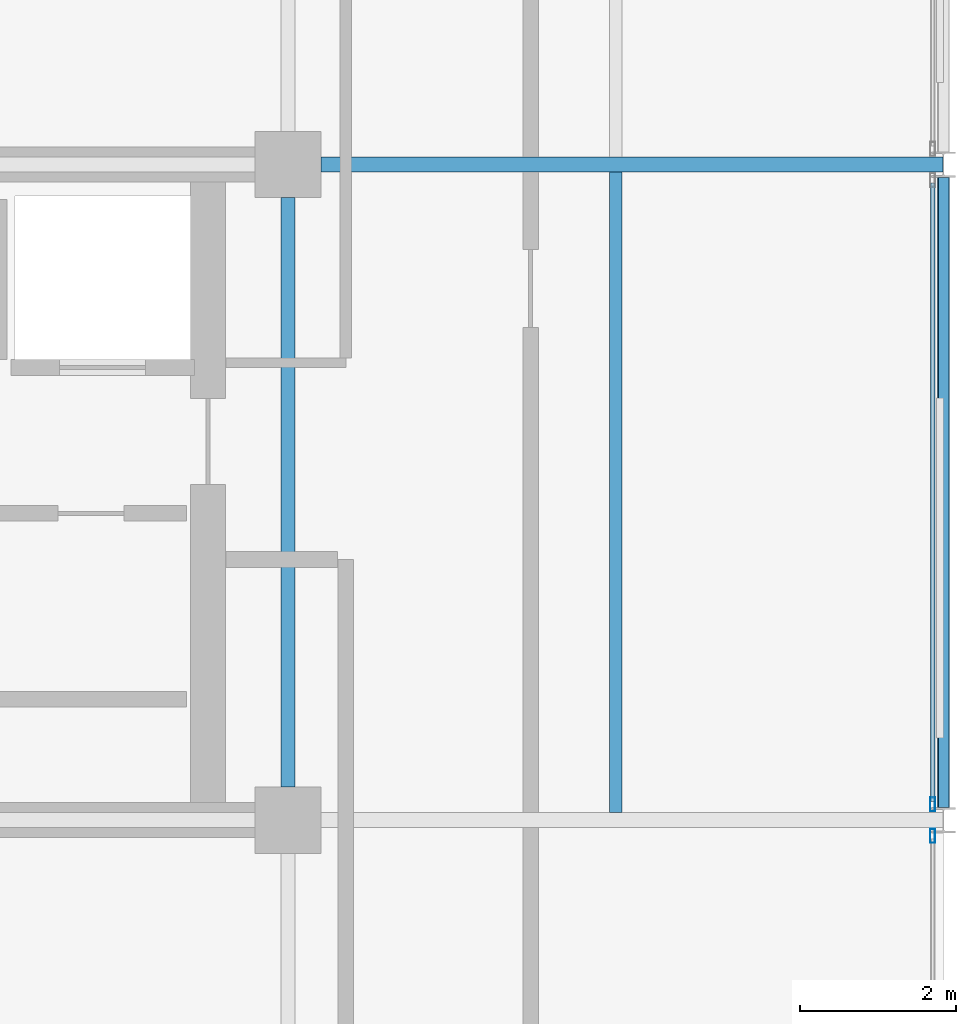
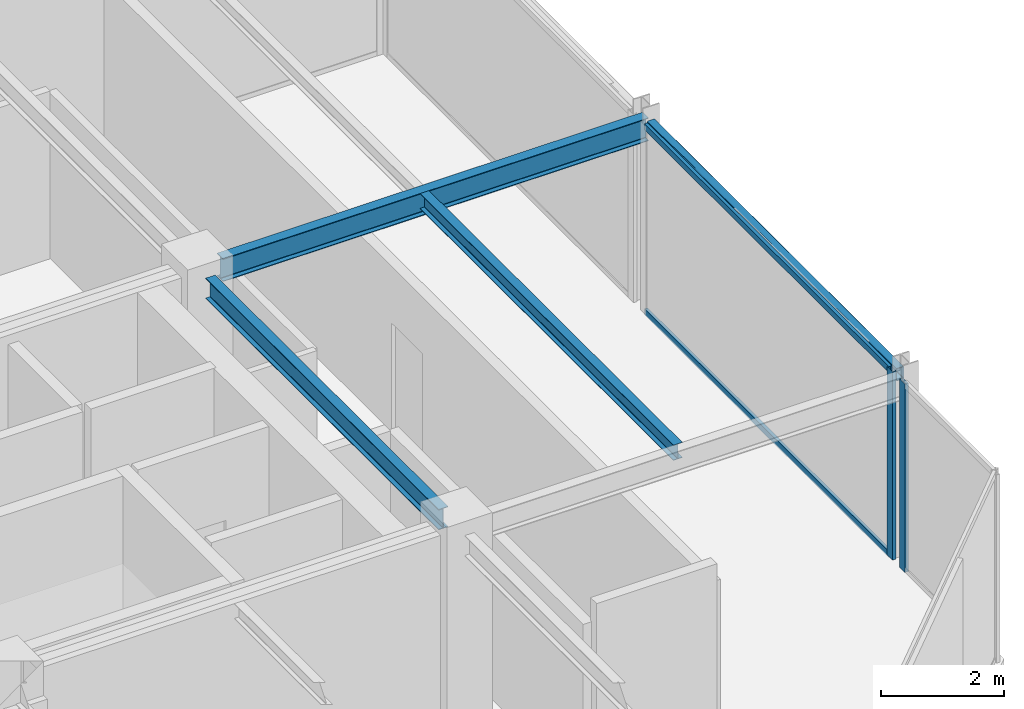
# One storey, part 15 of 26: 4 beams, 4 members, 2 elements without a shape of their own.
"""IFC4 building model written with IfcOpenShell, lengths in metres."""

from ifc_helpers import new_model, si_unit, direction, frame, origin, origin_2d, place, context, subcontext, project, spatial, hollow_rectangle, i_section, extrude, material, layer, layer_set, material_profile, profile_set, type_object, element, aggregate, save


model = new_model("IFC4")

# Units and contexts
model_context = context("Model", 3, precision=1e-05, world=origin(), true_north=direction((0.0, 1.0)))
body_context = subcontext(model_context, "Body", "Model", "MODEL_VIEW")
ifc_project = project(units=[si_unit("LENGTHUNIT", "METRE"), si_unit("AREAUNIT", "SQUARE_METRE"), si_unit("VOLUMEUNIT", "CUBIC_METRE"), si_unit("PLANEANGLEUNIT", "RADIAN"), si_unit("MASSUNIT", "GRAM", prefix="KILO")], contexts=[model_context])

# Site, building, storey
site_placement = place(None, origin())
site = spatial("IfcSite", under=ifc_project, at=site_placement, CompositionType="ELEMENT")
building_placement = place(site_placement, origin())
building = spatial("IfcBuilding", under=site, at=building_placement, Name="Nerrivon Quay Data Exchange", CompositionType="ELEMENT")
storey_placement = place(building_placement, frame((0.0, 0.0, 274.199951171875)))
storey = spatial("IfcBuildingStorey", under=building, at=storey_placement, Name="L65", CompositionType="ELEMENT", Elevation=274.199951171875)

# Beams
ifc_material_1 = material(Name="Steel Grade 350", Category="steel")
ifc_material_profile_1 = material_profile(ifc_material_1, i_section(OverallWidth=0.18994140625, OverallDepth=0.4541015625, WebThickness=0.008544921875, FlangeThickness=0.0126953125, FilletRadius=0.011474609375, at=origin_2d()), Name="460UB67.1")
ifc_profile_set_1 = profile_set([ifc_material_profile_1], Name="Steel Grade 350")
beam_type_1 = type_object("IfcBeamType", Name="BM-G6-460UB67", PredefinedType="BEAM", material=ifc_profile_set_1)
beam_1_placement = place(storey_placement, frame((34.02490234375, 16.800048828125, 3.498046875), z_axis=(1.0, 0.0, 0.0), x_axis=(0.0, 1.0, 0.0)))
element("IfcBeam", 1, at=beam_1_placement, inside=storey, type_object=beam_type_1, Name="L65 EW Girder Y=16.8 (33.6..42.0)", PredefinedType="BEAM", context=body_context, shape_type="SweptSolid", body=[
    extrude(i_section(OverallWidth=0.18994140625, OverallDepth=0.4541015625, WebThickness=0.008544921875, FlangeThickness=0.0126953125, FilletRadius=0.011474609375, at=origin_2d()), origin(), (0.0, 0.0, 1.0), 7.96728515625),
])
ifc_material_profile_2 = material_profile(ifc_material_1, i_section(OverallWidth=0.177978515625, OverallDepth=0.406005859375, WebThickness=0.0078125, FlangeThickness=0.0126953125, FilletRadius=0.011474609375, at=origin_2d()), Name="410UB59.7")
ifc_profile_set_2 = profile_set([ifc_material_profile_2], Name="Steel Grade 350")
beam_type_2 = type_object("IfcBeamType", Name="BM-J1-410UB60", PredefinedType="JOIST", material=ifc_profile_set_2)
beam_2_placement = place(storey_placement, frame((33.60009765625, 8.824951171875, 3.52197265625), z_axis=(0.0, 1.0, 0.0), x_axis=(-1.0, 0.0, 0.0)))
element("IfcBeam", 2, at=beam_2_placement, inside=storey, type_object=beam_type_2, Name="L65 NS Girder X=33.6 (8.4..16.8)", PredefinedType="JOIST", context=body_context, shape_type="SweptSolid", body=[
    extrude(i_section(OverallWidth=0.177978515625, OverallDepth=0.406005859375, WebThickness=0.0078125, FlangeThickness=0.0126953125, FilletRadius=0.011474609375, at=origin_2d()), origin(), (0.0, 0.0, 1.0), 7.550048828125),
])
ifc_material_profile_3 = material_profile(ifc_material_1, i_section(OverallWidth=0.1650390625, OverallDepth=0.303955078125, WebThickness=0.006103515625, FlangeThickness=0.01025390625, FilletRadius=0.011474609375, at=origin_2d()), Name="310UB40.4")
ifc_profile_set_3 = profile_set([ifc_material_profile_3], Name="Steel Grade 350")
beam_type_3 = type_object("IfcBeamType", Name="BM-J6-310UB40", PredefinedType="JOIST", material=ifc_profile_set_3)
beam_3_placement = place(storey_placement, frame((37.800048828125, 8.4951171875, 3.572998046875), z_axis=(0.0, 1.0, 0.0), x_axis=(-1.0, 0.0, 0.0)))
element("IfcBeam", 3, at=beam_3_placement, inside=storey, type_object=beam_type_3, Name="L65 Secondary Joist X=37.8 (8.4..16.8)", PredefinedType="JOIST", context=body_context, shape_type="SweptSolid", body=[
    extrude(i_section(OverallWidth=0.1650390625, OverallDepth=0.303955078125, WebThickness=0.006103515625, FlangeThickness=0.01025390625, FilletRadius=0.011474609375, at=origin_2d()), origin(), (0.0, 0.0, 1.0), 8.2099609375),
])
ifc_material_2 = material(Name="Steel Grade C350L0 (350 MPa)", Category="steel")
ifc_material_profile_4 = material_profile(ifc_material_2, hollow_rectangle(XDim=0.14990234375, YDim=0.25, WallThickness=0.009033203125, InnerFilletRadius=0.013427734375, OuterFilletRadius=0.0224609375, at=origin_2d()), Name="250x150x9.0RHS")
ifc_profile_set_4 = profile_set([ifc_material_profile_4], Name="Steel Grade C350L0 (350 MPa)")
beam_type_4 = type_object("IfcBeamType", Name="BM-SP4-250x150RHS", PredefinedType="SPANDREL", material=ifc_profile_set_4)
beam_4_placement = place(storey_placement, frame((42.0, 8.5634765625, 3.60009765625), z_axis=(0.0, 1.0, 0.0), x_axis=(-1.0, 0.0, 0.0)))
element("IfcBeam", 4, at=beam_4_placement, inside=storey, type_object=beam_type_4, Name="L65 NS Girder X=42.0 (8.4..16.8)", PredefinedType="SPANDREL", context=body_context, shape_type="SweptSolid", body=[
    extrude(hollow_rectangle(XDim=0.14990234375, YDim=0.25, WallThickness=0.009033203125, InnerFilletRadius=0.013427734375, OuterFilletRadius=0.0224609375, at=origin_2d()), origin(), (0.0, 0.0, 1.0), 8.072998046875),
])

# Curtain wall, member
ifc_material_3 = material(Name="Anodised aluminium 6063-T6", Category="aluminium")
ifc_layer = layer(ifc_material_3, 0.195068359375)
ifc_layer_set = layer_set([ifc_layer], Name="Anodised aluminium 6063-T6")
curtain_wall_type = type_object("IfcCurtainWallType", Name="CW-SYS-06", PredefinedType="NOTDEFINED", material=ifc_layer_set)
curtain_wall_1_placement = place(storey_placement, origin())
curtain_wall_1 = element("IfcCurtainWall", 5, at=curtain_wall_1_placement, inside=storey, type_object=curtain_wall_type, Name="L65 Unitised Curtain Wall 27", PredefinedType="NOTDEFINED")
ifc_material_profile_5 = material_profile(ifc_material_3, hollow_rectangle(XDim=0.06494140625, YDim=0.179931640625, WallThickness=0.00341796875, at=origin_2d()), Name="ALU-MULL-180x65")
ifc_profile_set_5 = profile_set([ifc_material_profile_5], Name="Anodised aluminium 6063-T6")
member_type_1 = type_object("IfcMemberType", Name="CWM-180x65", PredefinedType="MULLION", material=ifc_profile_set_5)
member_1_placement = place(storey_placement, frame((41.860107421875, 8.60107421875, 0.0), z_axis=(0.0, 0.0, 1.0), x_axis=(1.0, 0.0, 0.0)))
member_1 = element("IfcMember", 6, at=member_1_placement, type_object=member_type_1, Name="CW06 mullion 2", PredefinedType="MULLION", context=body_context, shape_type="SweptSolid", body=[
    extrude(hollow_rectangle(XDim=0.06494140625, YDim=0.179931640625, WallThickness=0.00341796875, at=origin_2d()), origin(), (0.0, 0.0, 1.0), 3.72509765625),
])

curtain_wall_2_placement = place(storey_placement, origin())
curtain_wall_2 = element("IfcCurtainWall", 7, at=curtain_wall_2_placement, inside=storey, type_object=curtain_wall_type, Name="L65 Unitised Curtain Wall 28", PredefinedType="NOTDEFINED")
member_2_placement = place(storey_placement, frame((41.860107421875, 8.198974609375, 0.0), z_axis=(0.0, 0.0, 1.0), x_axis=(1.0, 0.0, 0.0)))
member_2 = element("IfcMember", 8, at=member_2_placement, type_object=member_type_1, Name="CW06 mullion 1", PredefinedType="MULLION", context=body_context, shape_type="SweptSolid", body=[
    extrude(hollow_rectangle(XDim=0.06494140625, YDim=0.179931640625, WallThickness=0.00341796875, at=origin_2d()), origin(), (0.0, 0.0, 1.0), 3.72509765625),
])
aggregate(curtain_wall_2, [member_2])

# Member
ifc_material_profile_6 = material_profile(ifc_material_3, hollow_rectangle(XDim=0.06005859375, YDim=0.1201171875, WallThickness=0.003173828125, at=origin_2d()), Name="ALU-TRAN-120x60")
ifc_profile_set_6 = profile_set([ifc_material_profile_6], Name="Anodised aluminium 6063-T6")
member_type_2 = type_object("IfcMemberType", Name="CWT-120x60", PredefinedType="USERDEFINED", material=ifc_profile_set_6)
member_3_placement = place(storey_placement, frame((41.860107421875, 16.5615234375, 0.032470703125), z_axis=(0.0, -1.0, 0.0), x_axis=(1.0, 0.0, 0.0)))
member_3 = element("IfcMember", 9, at=member_3_placement, type_object=member_type_2, Name="CW06 transom 1.1", ObjectType="TRANSOM", PredefinedType="USERDEFINED", context=body_context, shape_type="SweptSolid", body=[
    extrude(hollow_rectangle(XDim=0.06005859375, YDim=0.1201171875, WallThickness=0.003173828125, at=origin_2d()), origin(), (0.0, 0.0, 1.0), 7.923095703125),
])

member_4_placement = place(storey_placement, frame((41.860107421875, 16.5615234375, 3.692626953125), z_axis=(0.0, -1.0, 0.0), x_axis=(1.0, 0.0, 0.0)))
member_4 = element("IfcMember", 10, at=member_4_placement, type_object=member_type_2, Name="CW06 transom 1.2", ObjectType="TRANSOM", PredefinedType="USERDEFINED", context=body_context, shape_type="SweptSolid", body=[
    extrude(hollow_rectangle(XDim=0.06005859375, YDim=0.1201171875, WallThickness=0.003173828125, at=origin_2d()), origin(), (0.0, 0.0, 1.0), 7.923095703125),
])

aggregate(curtain_wall_1, [member_1, member_3, member_4])

save(model, "model.ifc")
